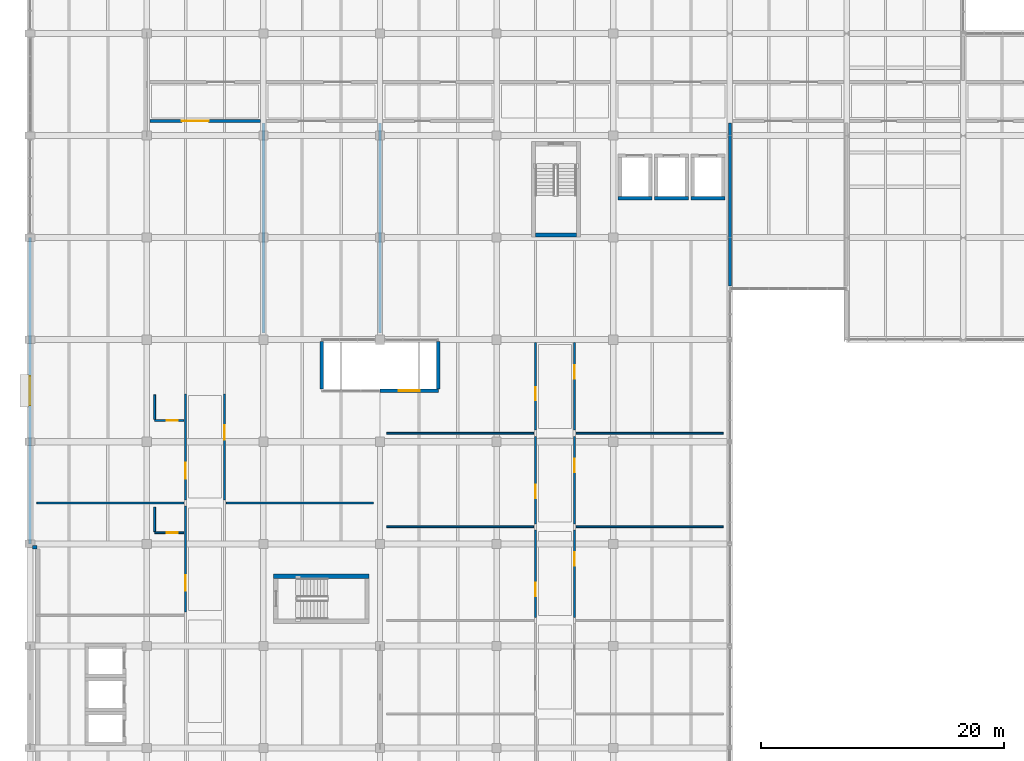
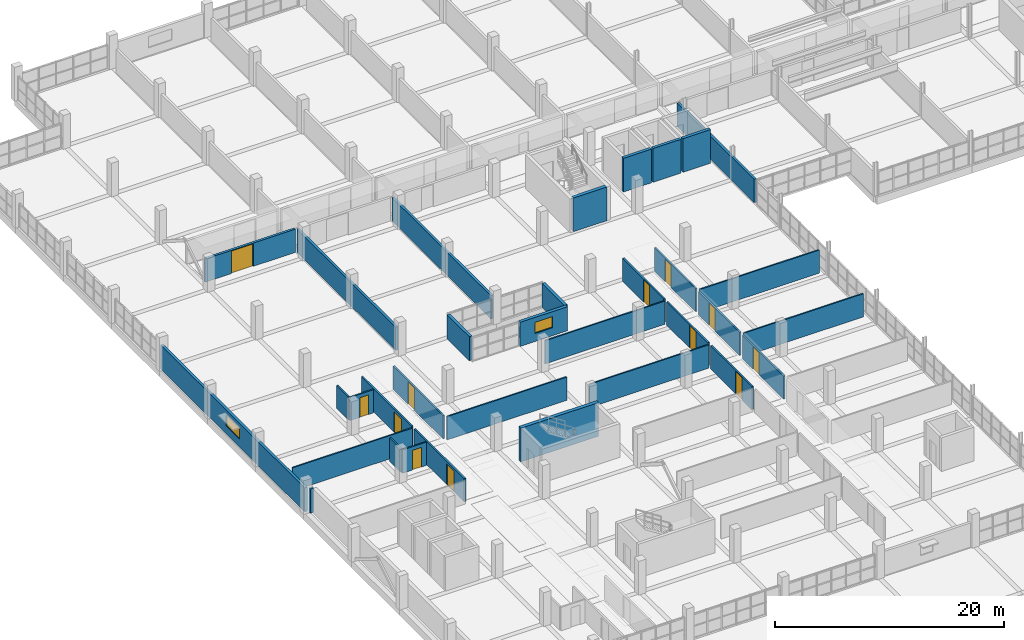
# One storey, part 122 of 147: 33 walls, 12 doors, 2 windows, 14 openings.
"""IFC4 building model written with IfcOpenShell, lengths in metres."""

from ifc_helpers import new_model, si_unit, direction, frame, frame_2d, origin, place, context, subcontext, project, spatial, rectangle, extrude, material, layer, layer_set, type_object, element, fill, save


model = new_model("IFC4")

# Units and contexts
model_context = context("Model", 3, precision=1e-05, world=origin(), true_north=direction((0.0, 1.0)))
body_context = subcontext(model_context, "Body", "Model", "MODEL_VIEW")
ifc_project = project(units=[si_unit("LENGTHUNIT", "METRE"), si_unit("AREAUNIT", "SQUARE_METRE"), si_unit("VOLUMEUNIT", "CUBIC_METRE"), si_unit("PLANEANGLEUNIT", "RADIAN"), si_unit("MASSUNIT", "GRAM", prefix="KILO")], contexts=[model_context])

# Site, building, storey
site_placement = place(None, origin())
site = spatial("IfcSite", under=ifc_project, at=site_placement, CompositionType="ELEMENT")
building_placement = place(site_placement, origin())
building = spatial("IfcBuilding", under=site, at=building_placement, Name="Oolite Switchyard Hospital", CompositionType="ELEMENT")
storey_placement = place(building_placement, frame((0.0, 0.0, 9.89990234375)))
storey = spatial("IfcBuildingStorey", under=building, at=storey_placement, Name="L02", CompositionType="ELEMENT", Elevation=9.89990234375)

# Wall
ifc_material_1 = material(Name="Precast oolitic limestone architectural concrete C40/50", Category="masonry")
ifc_layer_1 = layer(ifc_material_1, 0.260009765625)
ifc_layer_set_1 = layer_set([ifc_layer_1], Name="WAL-EXT-260")
wall_type_1 = type_object("IfcWallType", Name="WAL-EXT-260", PredefinedType="SOLIDWALL", material=ifc_layer_set_1)
wall_1_placement = place(storey_placement, frame((0.199951171875, 66.919921875, 0.0), z_axis=(0.0, 0.0, 1.0), x_axis=(1.0, 0.0, 0.0)))
element("IfcWall", 1, at=wall_1_placement, inside=storey, type_object=wall_type_1, Name="L02 Brace Alcove Cheek Wall 150", PredefinedType="SOLIDWALL", context=body_context, shape_type="SweptSolid", body=[
    extrude(rectangle(XDim=0.360107421875, YDim=0.260009765625, at=frame_2d((0.18017578125, 0.0))), origin(), (0.0, 0.0, 1.0), 2.570068359375),
])

# Wall, opening, window
wall_2_placement = place(storey_placement, frame((0.0, 67.199951171875, 0.0), z_axis=(0.0, 0.0, 1.0), x_axis=(0.0, 1.0, 0.0)))
wall_2 = element("IfcWall", 2, at=wall_2_placement, inside=storey, type_object=wall_type_1, Name="L02 Exterior Spandrel Wall 152", PredefinedType="SOLIDWALL", context=body_context, shape_type="SweptSolid", body=[
    extrude(rectangle(XDim=25.199951171875, YDim=0.260009765625, at=frame_2d((12.60009765625, 0.0))), origin(), (0.0, 0.0, 1.0), 2.570068359375),
])
opening_1_placement = place(wall_2_placement, frame((11.39990234375, 0.0, 0.85009765625)))
opening_1 = element("IfcOpeningElement", 3, at=opening_1_placement, cuts=wall_2, Name="Opening WN-0060", PredefinedType="OPENING", context=body_context, shape_type="SweptSolid", body=[
    extrude(rectangle(XDim=2.39990234375, YDim=1.199951171875, at=frame_2d((1.199951171875, 0.60009765625))), frame((0.0, 0.14013671875, 0.0), z_axis=(0.0, -1.0, 0.0), x_axis=(1.0, 0.0, 0.0)), (0.0, 0.0, 1.0), 0.280029296875),
])
ifc_material_2 = material(Name="Thermally broken aluminum frame with laminated impact glazing", Category="aluminium")
window_type_1 = type_object("IfcWindowType", Name="WIN-IMP-240X120", PartitioningType="SINGLE_PANEL", PredefinedType="WINDOW", material=ifc_material_2)
window_1_placement = place(opening_1_placement, origin())
window_1 = element("IfcWindow", 4, at=window_1_placement, inside=storey, type_object=window_type_1, Name="L02 Hurricane Impact Window WN-0060", OverallHeight=1.199951171875, OverallWidth=2.39990234375, PartitioningType="SINGLE_PANEL", PredefinedType="WINDOW", context=body_context, shape_type="SweptSolid", body=[
    extrude(rectangle(XDim=2.39990234375, YDim=1.199951171875, at=frame_2d((1.199951171875, 0.60009765625))), frame((0.0, 0.030029296875, 0.0), z_axis=(0.0, -1.0, 0.0), x_axis=(1.0, 0.0, 0.0)), (0.0, 0.0, 1.0), 0.06005859375),
])
fill(opening_1, window_1)

# Walls
ifc_layer_2 = layer(ifc_material_1, 0.280029296875)
ifc_layer_set_2 = layer_set([ifc_layer_2], Name="WAL-EXT-280")
wall_type_2 = type_object("IfcWallType", Name="WAL-EXT-280", PredefinedType="SOLIDWALL", material=ifc_layer_set_2)
wall_3_placement = place(storey_placement, frame((24.0, 83.840087890625, 0.0), z_axis=(0.0, 0.0, 1.0), x_axis=(0.0, -1.0, 0.0)))
element("IfcWall", 5, at=wall_3_placement, inside=storey, type_object=wall_type_2, Name="L02 Exterior Spandrel Wall 153", PredefinedType="SOLIDWALL", context=body_context, shape_type="SweptSolid", body=[
    extrude(rectangle(XDim=3.880126953125, YDim=0.280029296875, at=frame_2d((1.93994140625, 0.0))), origin(), (0.0, 0.0, 1.0), 2.570068359375),
])
ifc_layer_3 = layer(ifc_material_1, 0.300048828125)
ifc_layer_set_3 = layer_set([ifc_layer_3], Name="WAL-EXT-300")
wall_type_3 = type_object("IfcWallType", Name="WAL-EXT-300", PredefinedType="SOLIDWALL", material=ifc_layer_set_3)
wall_4_placement = place(storey_placement, frame((33.60009765625, 79.9599609375, 0.0), z_axis=(0.0, 0.0, 1.0), x_axis=(0.0, 1.0, 0.0)))
element("IfcWall", 6, at=wall_4_placement, inside=storey, type_object=wall_type_3, Name="L02 Exterior Spandrel Wall 154", PredefinedType="SOLIDWALL", context=body_context, shape_type="SweptSolid", body=[
    extrude(rectangle(XDim=3.880126953125, YDim=0.300048828125, at=frame_2d((1.93994140625, 0.0))), origin(), (0.0, 0.0, 1.0), 2.570068359375),
])

# Wall, opening, window
ifc_layer_4 = layer(ifc_material_1, 0.320068359375)
ifc_layer_set_4 = layer_set([ifc_layer_4], Name="WAL-EXT-320")
wall_type_4 = type_object("IfcWallType", Name="WAL-EXT-320", PredefinedType="SOLIDWALL", material=ifc_layer_set_4)
wall_5_placement = place(storey_placement, frame((28.800048828125, 79.800048828125, 0.0), z_axis=(0.0, 0.0, 1.0), x_axis=(1.0, 0.0, 0.0)))
wall_5 = element("IfcWall", 7, at=wall_5_placement, inside=storey, type_object=wall_type_4, Name="L02 Exterior Spandrel Wall 134", PredefinedType="SOLIDWALL", context=body_context, shape_type="SweptSolid", body=[
    extrude(rectangle(XDim=4.800048828125, YDim=0.320068359375, at=frame_2d((2.39990234375, 0.0))), origin(), (0.0, 0.0, 1.0), 2.570068359375),
])
opening_2_placement = place(wall_5_placement, frame((1.52490234375, 0.0, 0.85009765625)))
opening_2 = element("IfcOpeningElement", 8, at=opening_2_placement, cuts=wall_5, Name="Opening WN-0051", PredefinedType="OPENING", context=body_context, shape_type="SweptSolid", body=[
    extrude(rectangle(XDim=1.75, YDim=1.199951171875, at=frame_2d((0.875, 0.60009765625))), frame((0.0, 0.169921875, 0.0), z_axis=(0.0, -1.0, 0.0), x_axis=(1.0, 0.0, 0.0)), (0.0, 0.0, 1.0), 0.340087890625),
])
window_type_2 = type_object("IfcWindowType", Name="WIN-IMP-175X120", PartitioningType="SINGLE_PANEL", PredefinedType="WINDOW", material=ifc_material_2)
window_2_placement = place(opening_2_placement, origin())
window_2 = element("IfcWindow", 9, at=window_2_placement, inside=storey, type_object=window_type_2, Name="L02 Hurricane Impact Window WN-0051", OverallHeight=1.199951171875, OverallWidth=1.75, PartitioningType="SINGLE_PANEL", PredefinedType="WINDOW", context=body_context, shape_type="SweptSolid", body=[
    extrude(rectangle(XDim=1.75, YDim=1.199951171875, at=frame_2d((0.875, 0.60009765625))), frame((0.0, 0.030029296875, 0.0), z_axis=(0.0, -1.0, 0.0), x_axis=(1.0, 0.0, 0.0)), (0.0, 0.0, 1.0), 0.06005859375),
])
fill(opening_2, window_2)

# Walls
ifc_material_3 = material(Name="Moisture-resistant gypsum board on steel studs", Category="steel")
ifc_layer_5 = layer(ifc_material_3, 0.135009765625)
ifc_layer_set_5 = layer_set([ifc_layer_5], Name="WAL-PART-135")
wall_type_5 = type_object("IfcWallType", Name="WAL-PART-135", PredefinedType="PARTITIONING", material=ifc_layer_set_5)
wall_6_placement = place(storey_placement, frame((29.35009765625, 68.60009765625, 0.0), z_axis=(0.0, 0.0, 1.0), x_axis=(1.0, 0.0, 0.0)))
element("IfcWall", 10, at=wall_6_placement, inside=storey, type_object=wall_type_5, Name="L02 Interior Partition 457", PredefinedType="PARTITIONING", context=body_context, shape_type="SweptSolid", body=[
    extrude(rectangle(XDim=12.099853515625, YDim=0.135009765625, at=frame_2d((6.0498046875, 0.0))), origin(), (0.0, 0.0, 1.0), 2.47998046875),
])
wall_7_placement = place(storey_placement, frame((44.949951171875, 68.60009765625, 0.0), z_axis=(0.0, 0.0, 1.0), x_axis=(1.0, 0.0, 0.0)))
element("IfcWall", 11, at=wall_7_placement, inside=storey, type_object=wall_type_5, Name="L02 Interior Partition 459", PredefinedType="PARTITIONING", context=body_context, shape_type="SweptSolid", body=[
    extrude(rectangle(XDim=12.10009765625, YDim=0.135009765625, at=frame_2d((6.050048828125, 0.0))), origin(), (0.0, 0.0, 1.0), 2.47998046875),
])
wall_8_placement = place(storey_placement, frame((29.35009765625, 76.300048828125, 0.0), z_axis=(0.0, 0.0, 1.0), x_axis=(1.0, 0.0, 0.0)))
element("IfcWall", 12, at=wall_8_placement, inside=storey, type_object=wall_type_5, Name="L02 Interior Partition 461", PredefinedType="PARTITIONING", context=body_context, shape_type="SweptSolid", body=[
    extrude(rectangle(XDim=12.099853515625, YDim=0.135009765625, at=frame_2d((6.0498046875, 0.0))), origin(), (0.0, 0.0, 1.0), 2.47998046875),
])
wall_9_placement = place(storey_placement, frame((44.949951171875, 76.300048828125, 0.0), z_axis=(0.0, 0.0, 1.0), x_axis=(1.0, 0.0, 0.0)))
element("IfcWall", 13, at=wall_9_placement, inside=storey, type_object=wall_type_5, Name="L02 Interior Partition 463", PredefinedType="PARTITIONING", context=body_context, shape_type="SweptSolid", body=[
    extrude(rectangle(XDim=12.10009765625, YDim=0.135009765625, at=frame_2d((6.050048828125, 0.0))), origin(), (0.0, 0.0, 1.0), 2.47998046875),
])
wall_10_placement = place(storey_placement, frame((0.550048828125, 70.56005859375, 0.0), z_axis=(0.0, 0.0, 1.0), x_axis=(1.0, 0.0, 0.0)))
element("IfcWall", 14, at=wall_10_placement, inside=storey, type_object=wall_type_5, Name="L02 Interior Partition 503", PredefinedType="PARTITIONING", context=body_context, shape_type="SweptSolid", body=[
    extrude(rectangle(XDim=12.099853515625, YDim=0.135009765625, at=frame_2d((6.0498046875, 0.0))), origin(), (0.0, 0.0, 1.0), 2.47998046875),
])
wall_11_placement = place(storey_placement, frame((16.14990234375, 70.56005859375, 0.0), z_axis=(0.0, 0.0, 1.0), x_axis=(1.0, 0.0, 0.0)))
element("IfcWall", 15, at=wall_11_placement, inside=storey, type_object=wall_type_5, Name="L02 Interior Partition 505", PredefinedType="PARTITIONING", context=body_context, shape_type="SweptSolid", body=[
    extrude(rectangle(XDim=12.10009765625, YDim=0.135009765625, at=frame_2d((6.050048828125, 0.0))), origin(), (0.0, 0.0, 1.0), 2.47998046875),
])

# Wall, opening, door
ifc_layer_6 = layer(ifc_material_3, 0.14990234375)
ifc_layer_set_6 = layer_set([ifc_layer_6], Name="WAL-PART-150")
wall_type_6 = type_object("IfcWallType", Name="WAL-PART-150", PredefinedType="PARTITIONING", material=ifc_layer_set_6)
wall_12_placement = place(storey_placement, frame((10.25, 68.110107421875, 0.0), z_axis=(0.0, 0.0, 1.0), x_axis=(1.0, 0.0, 0.0)))
wall_12 = element("IfcWall", 16, at=wall_12_placement, inside=storey, type_object=wall_type_6, Name="L02 Interior Partition 497", PredefinedType="PARTITIONING", context=body_context, shape_type="SweptSolid", body=[
    extrude(rectangle(XDim=2.39990234375, YDim=0.14990234375, at=frame_2d((1.199951171875, 0.0))), origin(), (0.0, 0.0, 1.0), 2.47998046875),
])
opening_3_placement = place(wall_12_placement, frame((1.0, 0.0, 0.0)))
opening_3 = element("IfcOpeningElement", 17, at=opening_3_placement, cuts=wall_12, Name="Opening D-0281", PredefinedType="OPENING", context=body_context, shape_type="SweptSolid", body=[
    extrude(rectangle(XDim=0.89990234375, YDim=2.10009765625, at=frame_2d((0.449951171875, 1.050048828125))), frame((0.0, 0.0849609375, 0.0), z_axis=(0.0, -1.0, 0.0), x_axis=(1.0, 0.0, 0.0)), (0.0, 0.0, 1.0), 0.169921875),
])
ifc_material_4 = material(Name="Solid-core antimicrobial hardwood leaf in steel frame", Category="steel")
door_type_1 = type_object("IfcDoorType", Name="DR-BATH-090X210", OperationType="NOTDEFINED", PredefinedType="DOOR", material=ifc_material_4)
door_1_placement = place(opening_3_placement, origin())
door_1 = element("IfcDoor", 18, at=door_1_placement, inside=storey, type_object=door_type_1, Name="L02 Interior Door D-0281", OperationType="SINGLE_SWING_LEFT", OverallHeight=2.10009765625, OverallWidth=0.89990234375, PredefinedType="DOOR", context=body_context, shape_type="SweptSolid", body=[
    extrude(rectangle(XDim=0.89990234375, YDim=2.10009765625, at=frame_2d((0.449951171875, 1.050048828125))), frame((0.0, 0.02490234375, 0.0), z_axis=(0.0, -1.0, 0.0), x_axis=(1.0, 0.0, 0.0)), (0.0, 0.0, 1.0), 0.050048828125),
])
fill(opening_3, door_1)

# Wall
wall_13_placement = place(storey_placement, frame((10.25, 68.2099609375, 0.0), z_axis=(0.0, 0.0, 1.0), x_axis=(0.0, 1.0, 0.0)))
element("IfcWall", 19, at=wall_13_placement, inside=storey, type_object=wall_type_6, Name="L02 Interior Partition 498", PredefinedType="PARTITIONING", context=body_context, shape_type="SweptSolid", body=[
    extrude(rectangle(XDim=2.0, YDim=0.14990234375, at=frame_2d((1.0, 0.0))), origin(), (0.0, 0.0, 1.0), 2.47998046875),
])

# Wall, opening, door
wall_14_placement = place(storey_placement, frame((10.25, 77.35009765625, 0.0), z_axis=(0.0, 0.0, 1.0), x_axis=(1.0, 0.0, 0.0)))
wall_14 = element("IfcWall", 20, at=wall_14_placement, inside=storey, type_object=wall_type_6, Name="L02 Interior Partition 501", PredefinedType="PARTITIONING", context=body_context, shape_type="SweptSolid", body=[
    extrude(rectangle(XDim=2.39990234375, YDim=0.14990234375, at=frame_2d((1.199951171875, 0.0))), origin(), (0.0, 0.0, 1.0), 2.47998046875),
])
opening_4_placement = place(wall_14_placement, frame((1.0, 0.0, 0.0)))
opening_4 = element("IfcOpeningElement", 21, at=opening_4_placement, cuts=wall_14, Name="Opening D-0283", PredefinedType="OPENING", context=body_context, shape_type="SweptSolid", body=[
    extrude(rectangle(XDim=0.89990234375, YDim=2.10009765625, at=frame_2d((0.449951171875, 1.050048828125))), frame((0.0, 0.0849609375, 0.0), z_axis=(0.0, -1.0, 0.0), x_axis=(1.0, 0.0, 0.0)), (0.0, 0.0, 1.0), 0.169921875),
])
door_2_placement = place(opening_4_placement, origin())
door_2 = element("IfcDoor", 22, at=door_2_placement, inside=storey, type_object=door_type_1, Name="L02 Interior Door D-0283", OperationType="SINGLE_SWING_RIGHT", OverallHeight=2.10009765625, OverallWidth=0.89990234375, PredefinedType="DOOR", context=body_context, shape_type="SweptSolid", body=[
    extrude(rectangle(XDim=0.89990234375, YDim=2.10009765625, at=frame_2d((0.449951171875, 1.050048828125))), frame((0.0, 0.02490234375, 0.0), z_axis=(0.0, -1.0, 0.0), x_axis=(1.0, 0.0, 0.0)), (0.0, 0.0, 1.0), 0.050048828125),
])
fill(opening_4, door_2)

# Wall
wall_15_placement = place(storey_placement, frame((10.25, 77.449951171875, 0.0), z_axis=(0.0, 0.0, 1.0), x_axis=(0.0, 1.0, 0.0)))
element("IfcWall", 23, at=wall_15_placement, inside=storey, type_object=wall_type_6, Name="L02 Interior Partition 502", PredefinedType="PARTITIONING", context=body_context, shape_type="SweptSolid", body=[
    extrude(rectangle(XDim=2.0, YDim=0.14990234375, at=frame_2d((1.0, 0.0))), origin(), (0.0, 0.0, 1.0), 2.47998046875),
])

# Wall, opening, door
ifc_layer_7 = layer(ifc_material_3, 0.1650390625)
ifc_layer_set_7 = layer_set([ifc_layer_7], Name="WAL-PART-165")
wall_type_7 = type_object("IfcWallType", Name="WAL-PART-165", PredefinedType="PARTITIONING", material=ifc_layer_set_7)
wall_16_placement = place(storey_placement, frame((41.60009765625, 61.14990234375, 0.0), z_axis=(0.0, 0.0, 1.0), x_axis=(0.0, 1.0, 0.0)))
wall_16 = element("IfcWall", 24, at=wall_16_placement, inside=storey, type_object=wall_type_7, Name="L02 Interior Partition 452", PredefinedType="PARTITIONING", context=body_context, shape_type="SweptSolid", body=[
    extrude(rectangle(XDim=7.2001953125, YDim=0.1650390625, at=frame_2d((3.60009765625, 0.0))), origin(), (0.0, 0.0, 1.0), 2.47998046875),
])
opening_5_placement = place(wall_16_placement, frame((1.75, 0.0, 0.0)))
opening_5 = element("IfcOpeningElement", 25, at=opening_5_placement, cuts=wall_16, Name="Opening D-0256", PredefinedType="OPENING", context=body_context, shape_type="SweptSolid", body=[
    extrude(rectangle(XDim=1.10009765625, YDim=2.39990234375, at=frame_2d((0.550048828125, 1.199951171875))), frame((0.0, 0.092529296875, 0.0), z_axis=(0.0, -1.0, 0.0), x_axis=(1.0, 0.0, 0.0)), (0.0, 0.0, 1.0), 0.18505859375),
])
ifc_material_5 = material(Name="Hollow metal fire-rated steel door assembly", Category="steel")
door_type_2 = type_object("IfcDoorType", Name="DR-LAB-110X240", OperationType="NOTDEFINED", PredefinedType="DOOR", material=ifc_material_5)
door_3_placement = place(opening_5_placement, origin())
door_3 = element("IfcDoor", 26, at=door_3_placement, inside=storey, type_object=door_type_2, Name="L02 Interior Door D-0256", OperationType="SINGLE_SWING_RIGHT", OverallHeight=2.39990234375, OverallWidth=1.10009765625, PredefinedType="DOOR", context=body_context, shape_type="SweptSolid", body=[
    extrude(rectangle(XDim=1.10009765625, YDim=2.39990234375, at=frame_2d((0.550048828125, 1.199951171875))), frame((0.0, 0.02490234375, 0.0), z_axis=(0.0, -1.0, 0.0), x_axis=(1.0, 0.0, 0.0)), (0.0, 0.0, 1.0), 0.050048828125),
])
fill(opening_5, door_3)

wall_17_placement = place(storey_placement, frame((44.800048828125, 61.14990234375, 0.0), z_axis=(0.0, 0.0, 1.0), x_axis=(0.0, 1.0, 0.0)))
wall_17 = element("IfcWall", 27, at=wall_17_placement, inside=storey, type_object=wall_type_7, Name="L02 Interior Partition 454", PredefinedType="PARTITIONING", context=body_context, shape_type="SweptSolid", body=[
    extrude(rectangle(XDim=7.2001953125, YDim=0.1650390625, at=frame_2d((3.60009765625, 0.0))), origin(), (0.0, 0.0, 1.0), 2.47998046875),
])
opening_6_placement = place(wall_17_placement, frame((4.25, 0.0, 0.0)))
opening_6 = element("IfcOpeningElement", 28, at=opening_6_placement, cuts=wall_17, Name="Opening D-0257", PredefinedType="OPENING", context=body_context, shape_type="SweptSolid", body=[
    extrude(rectangle(XDim=1.10009765625, YDim=2.39990234375, at=frame_2d((0.550048828125, 1.199951171875))), frame((0.0, 0.092529296875, 0.0), z_axis=(0.0, -1.0, 0.0), x_axis=(1.0, 0.0, 0.0)), (0.0, 0.0, 1.0), 0.18505859375),
])
door_4_placement = place(opening_6_placement, origin())
door_4 = element("IfcDoor", 29, at=door_4_placement, inside=storey, type_object=door_type_2, Name="L02 Interior Door D-0257", OperationType="SINGLE_SWING_LEFT", OverallHeight=2.39990234375, OverallWidth=1.10009765625, PredefinedType="DOOR", context=body_context, shape_type="SweptSolid", body=[
    extrude(rectangle(XDim=1.10009765625, YDim=2.39990234375, at=frame_2d((0.550048828125, 1.199951171875))), frame((0.0, 0.02490234375, 0.0), z_axis=(0.0, -1.0, 0.0), x_axis=(1.0, 0.0, 0.0)), (0.0, 0.0, 1.0), 0.050048828125),
])
fill(opening_6, door_4)

wall_18_placement = place(storey_placement, frame((41.60009765625, 68.85009765625, 0.0), z_axis=(0.0, 0.0, 1.0), x_axis=(0.0, 1.0, 0.0)))
wall_18 = element("IfcWall", 30, at=wall_18_placement, inside=storey, type_object=wall_type_7, Name="L02 Interior Partition 456", PredefinedType="PARTITIONING", context=body_context, shape_type="SweptSolid", body=[
    extrude(rectangle(XDim=7.199951171875, YDim=0.1650390625, at=frame_2d((3.60009765625, 0.0))), origin(), (0.0, 0.0, 1.0), 2.47998046875),
])
opening_7_placement = place(wall_18_placement, frame((2.10009765625, 0.0, 0.0)))
opening_7 = element("IfcOpeningElement", 31, at=opening_7_placement, cuts=wall_18, Name="Opening D-0258", PredefinedType="OPENING", context=body_context, shape_type="SweptSolid", body=[
    extrude(rectangle(XDim=1.10009765625, YDim=2.39990234375, at=frame_2d((0.550048828125, 1.199951171875))), frame((0.0, 0.092529296875, 0.0), z_axis=(0.0, -1.0, 0.0), x_axis=(1.0, 0.0, 0.0)), (0.0, 0.0, 1.0), 0.18505859375),
])
door_5_placement = place(opening_7_placement, origin())
door_5 = element("IfcDoor", 32, at=door_5_placement, inside=storey, type_object=door_type_2, Name="L02 Interior Door D-0258", OperationType="SINGLE_SWING_LEFT", OverallHeight=2.39990234375, OverallWidth=1.10009765625, PredefinedType="DOOR", context=body_context, shape_type="SweptSolid", body=[
    extrude(rectangle(XDim=1.10009765625, YDim=2.39990234375, at=frame_2d((0.550048828125, 1.199951171875))), frame((0.0, 0.02490234375, 0.0), z_axis=(0.0, -1.0, 0.0), x_axis=(1.0, 0.0, 0.0)), (0.0, 0.0, 1.0), 0.050048828125),
])
fill(opening_7, door_5)

wall_19_placement = place(storey_placement, frame((44.800048828125, 68.85009765625, 0.0), z_axis=(0.0, 0.0, 1.0), x_axis=(0.0, 1.0, 0.0)))
wall_19 = element("IfcWall", 33, at=wall_19_placement, inside=storey, type_object=wall_type_7, Name="L02 Interior Partition 458", PredefinedType="PARTITIONING", context=body_context, shape_type="SweptSolid", body=[
    extrude(rectangle(XDim=7.199951171875, YDim=0.1650390625, at=frame_2d((3.60009765625, 0.0))), origin(), (0.0, 0.0, 1.0), 2.47998046875),
])
opening_8_placement = place(wall_19_placement, frame((4.25, 0.0, 0.0)))
opening_8 = element("IfcOpeningElement", 34, at=opening_8_placement, cuts=wall_19, Name="Opening D-0259", PredefinedType="OPENING", context=body_context, shape_type="SweptSolid", body=[
    extrude(rectangle(XDim=1.10009765625, YDim=2.39990234375, at=frame_2d((0.550048828125, 1.199951171875))), frame((0.0, 0.092529296875, 0.0), z_axis=(0.0, -1.0, 0.0), x_axis=(1.0, 0.0, 0.0)), (0.0, 0.0, 1.0), 0.18505859375),
])
door_6_placement = place(opening_8_placement, origin())
door_6 = element("IfcDoor", 35, at=door_6_placement, inside=storey, type_object=door_type_2, Name="L02 Interior Door D-0259", OperationType="SINGLE_SWING_RIGHT", OverallHeight=2.39990234375, OverallWidth=1.10009765625, PredefinedType="DOOR", context=body_context, shape_type="SweptSolid", body=[
    extrude(rectangle(XDim=1.10009765625, YDim=2.39990234375, at=frame_2d((0.550048828125, 1.199951171875))), frame((0.0, 0.02490234375, 0.0), z_axis=(0.0, -1.0, 0.0), x_axis=(1.0, 0.0, 0.0)), (0.0, 0.0, 1.0), 0.050048828125),
])
fill(opening_8, door_6)

wall_20_placement = place(storey_placement, frame((41.60009765625, 76.550048828125, 0.0), z_axis=(0.0, 0.0, 1.0), x_axis=(0.0, 1.0, 0.0)))
wall_20 = element("IfcWall", 36, at=wall_20_placement, inside=storey, type_object=wall_type_7, Name="L02 Interior Partition 460", PredefinedType="PARTITIONING", context=body_context, shape_type="SweptSolid", body=[
    extrude(rectangle(XDim=7.199951171875, YDim=0.1650390625, at=frame_2d((3.60009765625, 0.0))), origin(), (0.0, 0.0, 1.0), 2.47998046875),
])
opening_9_placement = place(wall_20_placement, frame((2.449951171875, 0.0, 0.0)))
opening_9 = element("IfcOpeningElement", 37, at=opening_9_placement, cuts=wall_20, Name="Opening D-0260", PredefinedType="OPENING", context=body_context, shape_type="SweptSolid", body=[
    extrude(rectangle(XDim=1.10009765625, YDim=2.39990234375, at=frame_2d((0.550048828125, 1.199951171875))), frame((0.0, 0.092529296875, 0.0), z_axis=(0.0, -1.0, 0.0), x_axis=(1.0, 0.0, 0.0)), (0.0, 0.0, 1.0), 0.18505859375),
])
door_7_placement = place(opening_9_placement, origin())
door_7 = element("IfcDoor", 38, at=door_7_placement, inside=storey, type_object=door_type_2, Name="L02 Interior Door D-0260", OperationType="SINGLE_SWING_RIGHT", OverallHeight=2.39990234375, OverallWidth=1.10009765625, PredefinedType="DOOR", context=body_context, shape_type="SweptSolid", body=[
    extrude(rectangle(XDim=1.10009765625, YDim=2.39990234375, at=frame_2d((0.550048828125, 1.199951171875))), frame((0.0, 0.02490234375, 0.0), z_axis=(0.0, -1.0, 0.0), x_axis=(1.0, 0.0, 0.0)), (0.0, 0.0, 1.0), 0.050048828125),
])
fill(opening_9, door_7)

wall_21_placement = place(storey_placement, frame((44.800048828125, 76.550048828125, 0.0), z_axis=(0.0, 0.0, 1.0), x_axis=(0.0, 1.0, 0.0)))
wall_21 = element("IfcWall", 39, at=wall_21_placement, inside=storey, type_object=wall_type_7, Name="L02 Interior Partition 462", PredefinedType="PARTITIONING", context=body_context, shape_type="SweptSolid", body=[
    extrude(rectangle(XDim=7.199951171875, YDim=0.1650390625, at=frame_2d((3.60009765625, 0.0))), origin(), (0.0, 0.0, 1.0), 2.47998046875),
])
opening_10_placement = place(wall_21_placement, frame((4.25, 0.0, 0.0)))
opening_10 = element("IfcOpeningElement", 40, at=opening_10_placement, cuts=wall_21, Name="Opening D-0261", PredefinedType="OPENING", context=body_context, shape_type="SweptSolid", body=[
    extrude(rectangle(XDim=1.10009765625, YDim=2.39990234375, at=frame_2d((0.550048828125, 1.199951171875))), frame((0.0, 0.092529296875, 0.0), z_axis=(0.0, -1.0, 0.0), x_axis=(1.0, 0.0, 0.0)), (0.0, 0.0, 1.0), 0.18505859375),
])
door_8_placement = place(opening_10_placement, origin())
door_8 = element("IfcDoor", 41, at=door_8_placement, inside=storey, type_object=door_type_2, Name="L02 Interior Door D-0261", OperationType="SINGLE_SWING_LEFT", OverallHeight=2.39990234375, OverallWidth=1.10009765625, PredefinedType="DOOR", context=body_context, shape_type="SweptSolid", body=[
    extrude(rectangle(XDim=1.10009765625, YDim=2.39990234375, at=frame_2d((0.550048828125, 1.199951171875))), frame((0.0, 0.02490234375, 0.0), z_axis=(0.0, -1.0, 0.0), x_axis=(1.0, 0.0, 0.0)), (0.0, 0.0, 1.0), 0.050048828125),
])
fill(opening_10, door_8)

wall_22_placement = place(storey_placement, frame((12.800048828125, 61.570068359375, 0.0), z_axis=(0.0, 0.0, 1.0), x_axis=(0.0, 1.0, 0.0)))
wall_22 = element("IfcWall", 42, at=wall_22_placement, inside=storey, type_object=wall_type_7, Name="L02 Interior Partition 496", PredefinedType="PARTITIONING", context=body_context, shape_type="SweptSolid", body=[
    extrude(rectangle(XDim=8.739990234375, YDim=0.1650390625, at=frame_2d((4.3701171875, 0.0))), origin(), (0.0, 0.0, 1.0), 2.47998046875),
])
opening_11_placement = place(wall_22_placement, frame((1.75, 0.0, 0.0)))
opening_11 = element("IfcOpeningElement", 43, at=opening_11_placement, cuts=wall_22, Name="Opening D-0280", PredefinedType="OPENING", context=body_context, shape_type="SweptSolid", body=[
    extrude(rectangle(XDim=1.300048828125, YDim=2.199951171875, at=frame_2d((0.64990234375, 1.10009765625))), frame((0.0, 0.092529296875, 0.0), z_axis=(0.0, -1.0, 0.0), x_axis=(1.0, 0.0, 0.0)), (0.0, 0.0, 1.0), 0.18505859375),
])
door_type_3 = type_object("IfcDoorType", Name="DR-WARD-130X220", OperationType="NOTDEFINED", PredefinedType="DOOR", material=ifc_material_4)
door_9_placement = place(opening_11_placement, origin())
door_9 = element("IfcDoor", 44, at=door_9_placement, inside=storey, type_object=door_type_3, Name="L02 Interior Door D-0280", OperationType="SINGLE_SWING_RIGHT", OverallHeight=2.199951171875, OverallWidth=1.300048828125, PredefinedType="DOOR", context=body_context, shape_type="SweptSolid", body=[
    extrude(rectangle(XDim=1.300048828125, YDim=2.199951171875, at=frame_2d((0.64990234375, 1.10009765625))), frame((0.0, 0.02490234375, 0.0), z_axis=(0.0, -1.0, 0.0), x_axis=(1.0, 0.0, 0.0)), (0.0, 0.0, 1.0), 0.050048828125),
])
fill(opening_11, door_9)

wall_23_placement = place(storey_placement, frame((12.800048828125, 70.81005859375, 0.0), z_axis=(0.0, 0.0, 1.0), x_axis=(0.0, 1.0, 0.0)))
wall_23 = element("IfcWall", 45, at=wall_23_placement, inside=storey, type_object=wall_type_7, Name="L02 Interior Partition 500", PredefinedType="PARTITIONING", context=body_context, shape_type="SweptSolid", body=[
    extrude(rectangle(XDim=8.739990234375, YDim=0.1650390625, at=frame_2d((4.3701171875, 0.0))), origin(), (0.0, 0.0, 1.0), 2.47998046875),
])
opening_12_placement = place(wall_23_placement, frame((1.75, 0.0, 0.0)))
opening_12 = element("IfcOpeningElement", 46, at=opening_12_placement, cuts=wall_23, Name="Opening D-0282", PredefinedType="OPENING", context=body_context, shape_type="SweptSolid", body=[
    extrude(rectangle(XDim=1.300048828125, YDim=2.199951171875, at=frame_2d((0.64990234375, 1.10009765625))), frame((0.0, 0.092529296875, 0.0), z_axis=(0.0, -1.0, 0.0), x_axis=(1.0, 0.0, 0.0)), (0.0, 0.0, 1.0), 0.18505859375),
])
door_10_placement = place(opening_12_placement, origin())
door_10 = element("IfcDoor", 47, at=door_10_placement, inside=storey, type_object=door_type_3, Name="L02 Interior Door D-0282", OperationType="SINGLE_SWING_LEFT", OverallHeight=2.199951171875, OverallWidth=1.300048828125, PredefinedType="DOOR", context=body_context, shape_type="SweptSolid", body=[
    extrude(rectangle(XDim=1.300048828125, YDim=2.199951171875, at=frame_2d((0.64990234375, 1.10009765625))), frame((0.0, 0.02490234375, 0.0), z_axis=(0.0, -1.0, 0.0), x_axis=(1.0, 0.0, 0.0)), (0.0, 0.0, 1.0), 0.050048828125),
])
fill(opening_12, door_10)

wall_24_placement = place(storey_placement, frame((16.0, 70.81005859375, 0.0), z_axis=(0.0, 0.0, 1.0), x_axis=(0.0, 1.0, 0.0)))
wall_24 = element("IfcWall", 48, at=wall_24_placement, inside=storey, type_object=wall_type_7, Name="L02 Interior Partition 504", PredefinedType="PARTITIONING", context=body_context, shape_type="SweptSolid", body=[
    extrude(rectangle(XDim=8.739990234375, YDim=0.1650390625, at=frame_2d((4.3701171875, 0.0))), origin(), (0.0, 0.0, 1.0), 2.47998046875),
])
opening_13_placement = place(wall_24_placement, frame((4.949951171875, 0.0, 0.0)))
opening_13 = element("IfcOpeningElement", 49, at=opening_13_placement, cuts=wall_24, Name="Opening D-0284", PredefinedType="OPENING", context=body_context, shape_type="SweptSolid", body=[
    extrude(rectangle(XDim=1.199951171875, YDim=2.39990234375, at=frame_2d((0.60009765625, 1.199951171875))), frame((0.0, 0.092529296875, 0.0), z_axis=(0.0, -1.0, 0.0), x_axis=(1.0, 0.0, 0.0)), (0.0, 0.0, 1.0), 0.18505859375),
])
door_type_4 = type_object("IfcDoorType", Name="DR-PHARM-120X240", OperationType="NOTDEFINED", PredefinedType="DOOR", material=ifc_material_5)
door_11_placement = place(opening_13_placement, origin())
door_11 = element("IfcDoor", 50, at=door_11_placement, inside=storey, type_object=door_type_4, Name="L02 Interior Door D-0284", OperationType="SINGLE_SWING_RIGHT", OverallHeight=2.39990234375, OverallWidth=1.199951171875, PredefinedType="DOOR", context=body_context, shape_type="SweptSolid", body=[
    extrude(rectangle(XDim=1.199951171875, YDim=2.39990234375, at=frame_2d((0.60009765625, 1.199951171875))), frame((0.0, 0.02490234375, 0.0), z_axis=(0.0, -1.0, 0.0), x_axis=(1.0, 0.0, 0.0)), (0.0, 0.0, 1.0), 0.050048828125),
])
fill(opening_13, door_11)

ifc_material_6 = material(Name="Precast concrete C40/50", Category="concrete")
ifc_layer_8 = layer(ifc_material_6, 0.239990234375)
ifc_layer_set_8 = layer_set([ifc_layer_8], Name="WAL-PLANT-240")
wall_type_8 = type_object("IfcWallType", Name="WAL-PLANT-240", PredefinedType="PARTITIONING", material=ifc_layer_set_8)
wall_25_placement = place(storey_placement, frame((9.85009765625, 102.0, 0.0), z_axis=(0.0, 0.0, 1.0), x_axis=(1.0, 0.0, 0.0)))
wall_25 = element("IfcWall", 51, at=wall_25_placement, inside=storey, type_object=wall_type_8, Name="L02 Interior Partition 409", PredefinedType="PARTITIONING", context=body_context, shape_type="SweptSolid", body=[
    extrude(rectangle(XDim=9.099853515625, YDim=0.239990234375, at=frame_2d((4.5498046875, 0.0))), origin(), (0.0, 0.0, 1.0), 2.47998046875),
])
opening_14_placement = place(wall_25_placement, frame((2.64990234375, 0.0, 0.0)))
opening_14 = element("IfcOpeningElement", 52, at=opening_14_placement, cuts=wall_25, Name="Opening D-0233", PredefinedType="OPENING", context=body_context, shape_type="SweptSolid", body=[
    extrude(rectangle(XDim=2.199951171875, YDim=2.39990234375, at=frame_2d((1.10009765625, 1.199951171875))), frame((0.0, 0.1298828125, 0.0), z_axis=(0.0, -1.0, 0.0), x_axis=(1.0, 0.0, 0.0)), (0.0, 0.0, 1.0), 0.260009765625),
])
door_type_5 = type_object("IfcDoorType", Name="DR-PLNT-220X240", OperationType="NOTDEFINED", PredefinedType="DOOR", material=ifc_material_5)
door_12_placement = place(opening_14_placement, origin())
door_12 = element("IfcDoor", 53, at=door_12_placement, inside=storey, type_object=door_type_5, Name="L02 Interior Door D-0233", OperationType="DOUBLE_DOOR_SINGLE_SWING", OverallHeight=2.39990234375, OverallWidth=2.199951171875, PredefinedType="DOOR", context=body_context, shape_type="SweptSolid", body=[
    extrude(rectangle(XDim=2.199951171875, YDim=2.39990234375, at=frame_2d((1.10009765625, 1.199951171875))), frame((0.0, 0.02490234375, 0.0), z_axis=(0.0, -1.0, 0.0), x_axis=(1.0, 0.0, 0.0)), (0.0, 0.0, 1.0), 0.050048828125),
])
fill(opening_14, door_12)

# Walls
for number, where, z_axis, x_axis, name in (
    (54, (19.199951171875, 84.550048828125, 0.0), (0.0, 0.0, 1.0), (0.0, 1.0, 0.0), "L02 Interior Partition 412"),
    (55, (28.800048828125, 84.550048828125, 0.0), (0.0, 0.0, 1.0), (0.0, 1.0, 0.0), "L02 Interior Partition 416"),
):
    element("IfcWall", number, at=place(storey_placement, frame(where, z_axis=z_axis, x_axis=x_axis)), inside=storey, type_object=wall_type_8, Name=name, PredefinedType="PARTITIONING", context=body_context, shape_type="SweptSolid", body=[
        extrude(rectangle(XDim=17.300048828125, YDim=0.239990234375, at=frame_2d((8.64990234375, 0.0))), origin(), (0.0, 0.0, 1.0), 2.47998046875),
    ])
wall_26_placement = place(storey_placement, frame((57.60009765625, 88.39990234375, 0.0), z_axis=(0.0, 0.0, 1.0), x_axis=(0.0, 1.0, 0.0)))
element("IfcWall", 56, at=wall_26_placement, inside=storey, type_object=wall_type_8, Name="L02 Interior Partition 424", PredefinedType="PARTITIONING", context=body_context, shape_type="SweptSolid", body=[
    extrude(rectangle(XDim=13.4501953125, YDim=0.239990234375, at=frame_2d((6.72509765625, 0.0))), origin(), (0.0, 0.0, 1.0), 2.47998046875),
])
ifc_material_7 = material(Name="Concrete C50/60", Category="concrete")
ifc_layer_9 = layer(ifc_material_7, 0.300048828125)
ifc_layer_set_9 = layer_set([ifc_layer_9], Name="WAL-SHR-300")
wall_type_9 = type_object("IfcWallType", Name="WAL-SHR-300", PredefinedType="SHEAR", material=ifc_layer_set_9)
for number, where, z_axis, x_axis, name in (
    (57, (48.39990234375, 95.64990234375, 0.0), (0.0, 0.0, 1.0), (1.0, 0.0, 0.0), "L02 Lift Shaft Shear Wall EL-08"),
    (58, (51.39990234375, 95.64990234375, 0.0), (0.0, 0.0, 1.0), (1.0, 0.0, 0.0), "L02 Lift Shaft Shear Wall EL-09"),
    (59, (54.39990234375, 95.64990234375, 0.0), (0.0, 0.0, 1.0), (1.0, 0.0, 0.0), "L02 Lift Shaft Shear Wall EL-10"),
):
    element("IfcWall", number, at=place(storey_placement, frame(where, z_axis=z_axis, x_axis=x_axis)), inside=storey, type_object=wall_type_9, Name=name, PredefinedType="SHEAR", context=body_context, shape_type="SweptSolid", body=[
        extrude(rectangle(XDim=2.800048828125, YDim=0.300048828125, at=frame_2d((1.39990234375, 0.0))), origin(), (0.0, 0.0, 1.0), 3.60009765625),
    ])
ifc_layer_10 = layer(ifc_material_7, 0.35009765625)
ifc_layer_set_10 = layer_set([ifc_layer_10], Name="WAL-SHR-350")
wall_type_10 = type_object("IfcWallType", Name="WAL-SHR-350", PredefinedType="SHEAR", material=ifc_layer_set_10)
wall_27_placement = place(storey_placement, frame((27.89990234375, 64.534912109375, 0.0), z_axis=(0.0, 0.0, 1.0), x_axis=(-1.0, 0.0, 0.0)))
element("IfcWall", 60, at=wall_27_placement, inside=storey, type_object=wall_type_10, Name="L02 Core Shear Wall ST-02", PredefinedType="SHEAR", context=body_context, shape_type="SweptSolid", body=[
    extrude(rectangle(XDim=7.849853515625, YDim=0.35009765625, at=frame_2d((3.9248046875, 0.0))), origin(), (0.0, 0.0, 1.0), 3.60009765625),
])
wall_28_placement = place(storey_placement, frame((41.60009765625, 92.625, 0.0), z_axis=(0.0, 0.0, 1.0), x_axis=(1.0, 0.0, 0.0)))
element("IfcWall", 61, at=wall_28_placement, inside=storey, type_object=wall_type_10, Name="L02 Core Shear Wall ST-07", PredefinedType="SHEAR", context=body_context, shape_type="SweptSolid", body=[
    extrude(rectangle(XDim=3.35986328125, YDim=0.35009765625, at=frame_2d((1.679931640625, 0.0))), origin(), (0.0, 0.0, 1.0), 3.60009765625),
])

save(model, "model.ifc")
